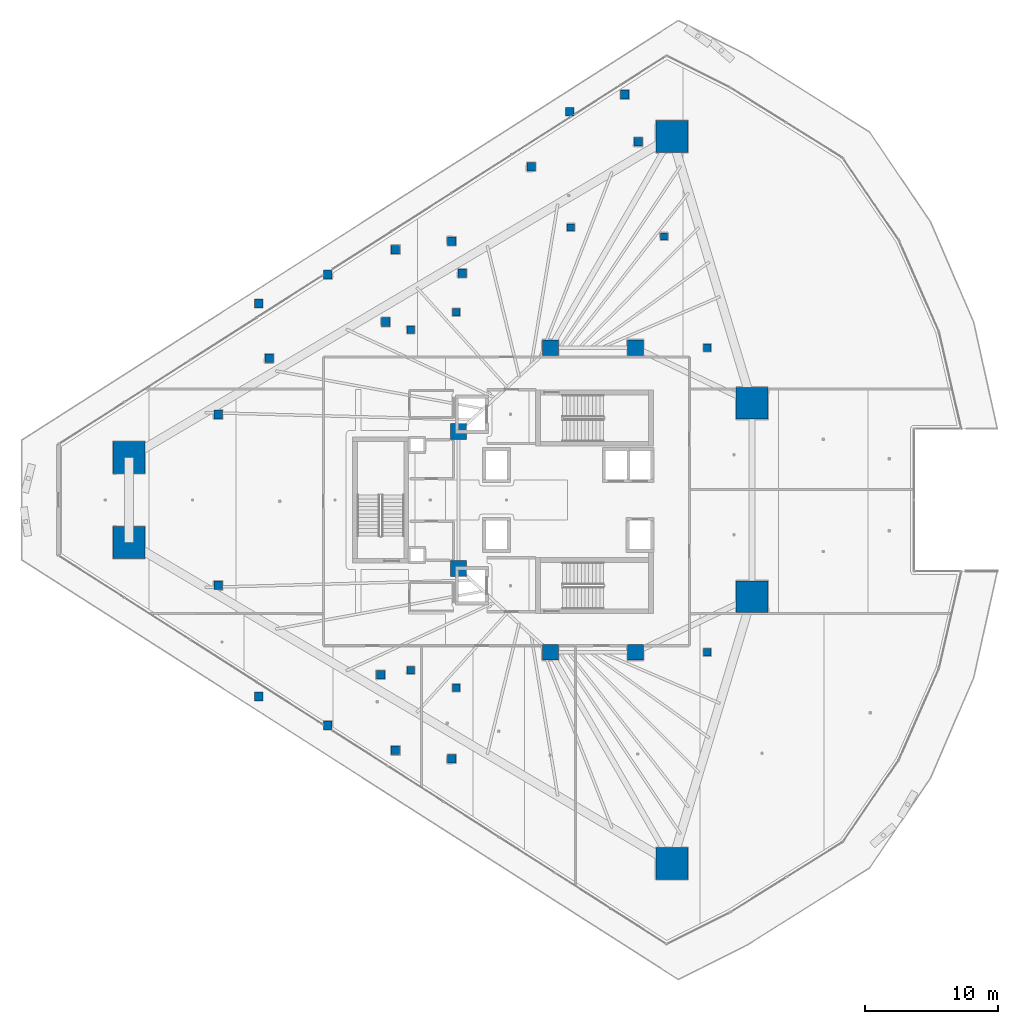
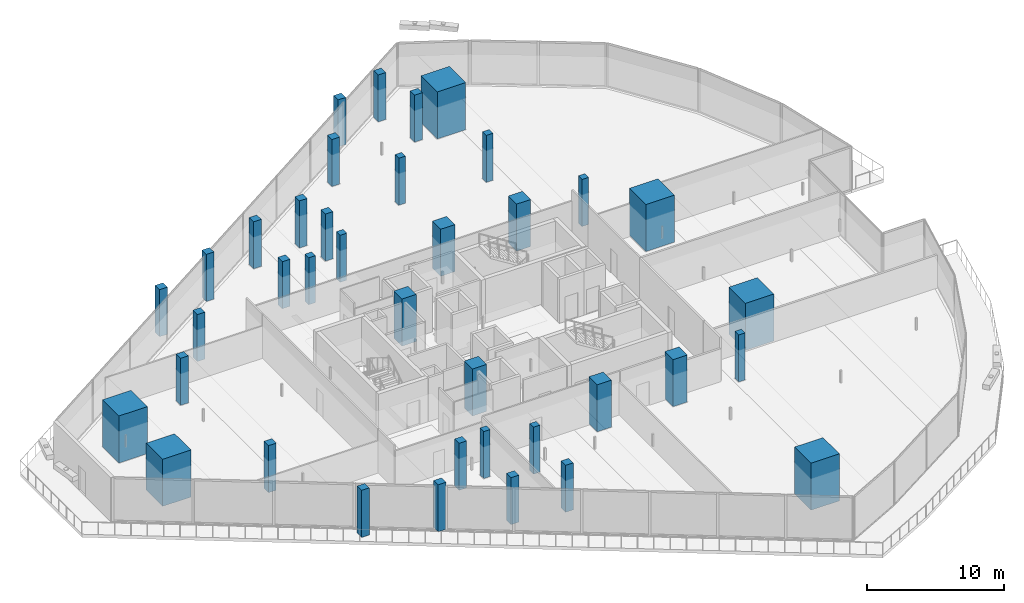
# One storey, part 1 of 44: 38 columns.
"""IFC4 building model written with IfcOpenShell, lengths in metres."""

from ifc_helpers import new_model, si_unit, direction, frame, origin, origin_2d, place, context, subcontext, project, spatial, rectangle, extrude, material, material_profile, profile_set, type_object, element, save


model = new_model("IFC4")

# Units and contexts
model_context = context("Model", 3, precision=1e-05, world=origin(), true_north=direction((0.0, 1.0)))
body_context = subcontext(model_context, "Body", "Model", "MODEL_VIEW")
ifc_project = project(units=[si_unit("LENGTHUNIT", "METRE"), si_unit("AREAUNIT", "SQUARE_METRE"), si_unit("VOLUMEUNIT", "CUBIC_METRE"), si_unit("PLANEANGLEUNIT", "RADIAN"), si_unit("MASSUNIT", "GRAM", prefix="KILO")], contexts=[model_context])

# Site, building, storey
site_placement = place(None, origin())
site = spatial("IfcSite", under=ifc_project, at=site_placement, CompositionType="ELEMENT")
building_placement = place(site_placement, origin())
building = spatial("IfcBuilding", under=site, at=building_placement, Name="Qorvath Tower", CompositionType="ELEMENT")
storey_placement = place(building_placement, frame((0.0, 0.0, 40.800048828125)))
storey = spatial("IfcBuildingStorey", under=building, at=storey_placement, Name="L08", CompositionType="ELEMENT", Elevation=40.800048828125)

# Columns
ifc_material_1 = material(Name="Concrete C70/85", Category="concrete")
ifc_material_profile_1 = material_profile(ifc_material_1, rectangle(XDim=2.39990234375, YDim=2.39990234375, at=origin_2d()), Name="MC 2400x2400")
ifc_profile_set_1 = profile_set([ifc_material_profile_1], Name="Concrete C70/85")
column_type_1 = type_object("IfcColumnType", Name="COL-MC1", PredefinedType="COLUMN", material=ifc_profile_set_1)
for number, where, z_axis, x_axis, name in (
    (1, (-55.282958984375, 3.194580078125, 0.0), (0.0, 0.0, 1.0), (1.0, 0.0, 0.0), "Composite Mega-Column MC1 L08"),
    (2, (-55.282958984375, -3.194580078125, 0.0), (0.0, 0.0, 1.0), (1.0, 0.0, 0.0), "Composite Mega-Column MC2 L08"),
    (3, (-14.46435546875, -27.330810546875, 0.0), (0.0, 0.0, 1.0), (1.0, 0.0, 0.0), "Composite Mega-Column MC3 L08"),
    (4, (-8.430419921875, -7.2763671875, 0.0), (0.0, 0.0, 1.0), (1.0, 0.0, 0.0), "Composite Mega-Column MC4 L08"),
    (5, (-8.430419921875, 7.2763671875, 0.0), (0.0, 0.0, 1.0), (1.0, 0.0, 0.0), "Composite Mega-Column MC5 L08"),
    (6, (-14.46435546875, 27.330810546875, 0.0), (0.0, 0.0, 1.0), (1.0, 0.0, 0.0), "Composite Mega-Column MC6 L08"),
):
    element("IfcColumn", number, at=place(storey_placement, frame(where, z_axis=z_axis, x_axis=x_axis)), inside=storey, type_object=column_type_1, Name=name, PredefinedType="COLUMN", context=body_context, shape_type="SweptSolid", body=[
        extrude(rectangle(XDim=2.39990234375, YDim=2.39990234375, at=origin_2d()), origin(), (0.0, 0.0, 1.0), 4.199951171875),
    ])
ifc_material_2 = material(Name="Concrete C60/75", Category="concrete")
ifc_material_profile_2 = material_profile(ifc_material_2, rectangle(XDim=1.199951171875, YDim=1.199951171875, at=origin_2d()), Name="RC 1200x1200")
ifc_profile_set_2 = profile_set([ifc_material_profile_2], Name="Concrete C60/75")
column_type_2 = type_object("IfcColumnType", Name="COL-RC1", PredefinedType="COLUMN", material=ifc_profile_set_2)
for number, where, z_axis, x_axis, name in (
    (7, (-23.60009765625, 11.449951171875, 0.0), (0.0, 0.0, 1.0), (1.0, 0.0, 0.0), "Core Spine Column CC1 L08"),
    (8, (-17.199951171875, 11.449951171875, 0.0), (0.0, 0.0, 1.0), (1.0, 0.0, 0.0), "Core Spine Column CC2 L08"),
    (9, (-17.199951171875, -11.449951171875, 0.0), (0.0, 0.0, 1.0), (1.0, 0.0, 0.0), "Core Spine Column CC3 L08"),
    (10, (-23.60009765625, -11.449951171875, 0.0), (0.0, 0.0, 1.0), (1.0, 0.0, 0.0), "Core Spine Column CC4 L08"),
    (11, (-30.5, 5.14990234375, 0.0), (0.0, 0.0, 1.0), (1.0, 0.0, 0.0), "Core Spine Column CC5 L08"),
    (12, (-30.5, -5.14990234375, 0.0), (0.0, 0.0, 1.0), (1.0, 0.0, 0.0), "Core Spine Column CC6 L08"),
):
    element("IfcColumn", number, at=place(storey_placement, frame(where, z_axis=z_axis, x_axis=x_axis)), inside=storey, type_object=column_type_2, Name=name, PredefinedType="COLUMN", context=body_context, shape_type="SweptSolid", body=[
        extrude(rectangle(XDim=1.199951171875, YDim=1.199951171875, at=origin_2d()), origin(), (0.0, 0.0, 1.0), 4.199951171875),
    ])
ifc_material_3 = material(Name="Concrete C45/55", Category="concrete")
ifc_material_profile_3 = material_profile(ifc_material_3, rectangle(XDim=0.64990234375, YDim=0.64990234375, at=origin_2d()), Name="RC 650x650")
ifc_profile_set_3 = profile_set([ifc_material_profile_3], Name="Concrete C45/55")
column_type_3 = type_object("IfcColumnType", Name="COL-RC6", PredefinedType="COLUMN", material=ifc_profile_set_3)
for number, where, z_axis, x_axis, name in (
    (13, (-45.536376953125, 14.774658203125, 0.0), (0.0, 0.0, 1.0), (1.0, 0.0, 0.0), "Loggia Frame Pier Column LGA1 L08"),
    (14, (-45.536376953125, -14.774658203125, 0.0), (0.0, 0.0, 1.0), (1.0, 0.0, 0.0), "Loggia Frame Pier Column LGA2 L08"),
    (15, (-22.13134765625, 29.20556640625, 0.0), (0.0, 0.0, 1.0), (1.0, 0.0, 0.0), "Loggia Frame Pier Column LGA3 L08"),
    (16, (-40.33251953125, 16.955810546875, 0.0), (0.0, 0.0, 1.0), (1.0, 0.0, 0.0), "Loggia Frame Pier Column LGB1 L08"),
    (17, (-40.33251953125, -16.955810546875, 0.0), (0.0, 0.0, 1.0), (1.0, 0.0, 0.0), "Loggia Frame Pier Column LGB2 L08"),
    (18, (-18.0, 30.5, 0.0), (0.0, 0.0, 1.0), (1.0, 0.0, 0.0), "Loggia Frame Pier Column LGB3 L08"),
    (19, (-35.251708984375, 18.829345703125, 0.0), (0.0, 0.0, 1.0), (1.0, 0.0, 0.0), "Loggia Frame Pier Column LGC1 L08"),
    (20, (-35.251708984375, -18.829345703125, 0.0), (0.0, 0.0, 1.0), (1.0, 0.0, 0.0), "Loggia Frame Pier Column LGC2 L08"),
    (21, (-25.03759765625, 25.058837890625, 0.0), (0.0, 0.0, 1.0), (1.0, 0.0, 0.0), "Loggia Frame Pier Column LGC3 L08"),
    (22, (-31.01611328125, 19.46044921875, 0.0), (0.0, 0.0, 1.0), (1.0, 0.0, 0.0), "Loggia Frame Pier Column LGD1 L08"),
    (23, (-31.01611328125, -19.46044921875, 0.0), (0.0, 0.0, 1.0), (1.0, 0.0, 0.0), "Loggia Frame Pier Column LGD2 L08"),
    (24, (-44.736328125, 10.65234375, 0.0), (0.0, 0.0, 1.0), (1.0, 0.0, 0.0), "Loggia Frame Pier Column LGD3 L08"),
    (25, (-48.578369140625, 6.424560546875, 0.0), (0.0, 0.0, 1.0), (1.0, 0.0, 0.0), "Loggia Frame Pier Column LGE1 L08"),
    (26, (-48.578369140625, -6.424560546875, 0.0), (0.0, 0.0, 1.0), (1.0, 0.0, 0.0), "Loggia Frame Pier Column LGE2 L08"),
    (27, (-16.981201171875, 26.92919921875, 0.0), (0.0, 0.0, 1.0), (1.0, 0.0, 0.0), "Loggia Frame Pier Column LGE3 L08"),
    (28, (-35.980712890625, 13.380859375, 0.0), (0.0, 0.0, 1.0), (1.0, 0.0, 0.0), "Loggia Frame Pier Column LGF1 L08"),
    (29, (-36.36474609375, -13.135498046875, 0.0), (0.0, 0.0, 1.0), (1.0, 0.0, 0.0), "Loggia Frame Pier Column LGF2 L08"),
    (30, (-30.224853515625, 17.0595703125, 0.0), (0.0, 0.0, 1.0), (1.0, 0.0, 0.0), "Loggia Frame Pier Column LGF3 L08"),
):
    element("IfcColumn", number, at=place(storey_placement, frame(where, z_axis=z_axis, x_axis=x_axis)), inside=storey, type_object=column_type_3, Name=name, PredefinedType="COLUMN", context=body_context, shape_type="SweptSolid", body=[
        extrude(rectangle(XDim=0.64990234375, YDim=0.64990234375, at=origin_2d()), origin(), (0.0, 0.0, 1.0), 4.199951171875),
    ])
ifc_material_4 = material(Name="Concrete C45/55", Category="concrete")
ifc_material_profile_4 = material_profile(ifc_material_4, rectangle(XDim=0.550048828125, YDim=0.550048828125, at=origin_2d()), Name="RC 550x550")
ifc_profile_set_4 = profile_set([ifc_material_profile_4], Name="Concrete C45/55")
column_type_4 = type_object("IfcColumnType", Name="COL-RC7", PredefinedType="COLUMN", material=ifc_profile_set_4)
for number, where, z_axis, x_axis, name in (
    (31, (-34.104248046875, 12.79248046875, 0.0), (0.0, 0.0, 1.0), (1.0, 0.0, 0.0), "Loggia Frame Pier Column LGG1 L08"),
    (32, (-34.104248046875, -12.79248046875, 0.0), (0.0, 0.0, 1.0), (1.0, 0.0, 0.0), "Loggia Frame Pier Column LGG2 L08"),
    (33, (-22.05322265625, 20.494873046875, 0.0), (0.0, 0.0, 1.0), (1.0, 0.0, 0.0), "Loggia Frame Pier Column LGG3 L08"),
    (34, (-30.67724609375, 14.124267578125, 0.0), (0.0, 0.0, 1.0), (1.0, 0.0, 0.0), "Loggia Frame Pier Column LGH1 L08"),
    (35, (-30.67724609375, -14.124267578125, 0.0), (0.0, 0.0, 1.0), (1.0, 0.0, 0.0), "Loggia Frame Pier Column LGH2 L08"),
    (36, (-15.046142578125, 19.818115234375, 0.0), (0.0, 0.0, 1.0), (1.0, 0.0, 0.0), "Loggia Frame Pier Column LGH3 L08"),
    (37, (-11.800048828125, -11.449951171875, 0.0), (0.0, 0.0, 1.0), (1.0, 0.0, 0.0), "Central Slot Jamb Column SC1 L08"),
    (38, (-11.800048828125, 11.449951171875, 0.0), (0.0, 0.0, 1.0), (1.0, 0.0, 0.0), "Central Slot Jamb Column SC2 L08"),
):
    element("IfcColumn", number, at=place(storey_placement, frame(where, z_axis=z_axis, x_axis=x_axis)), inside=storey, type_object=column_type_4, Name=name, PredefinedType="COLUMN", context=body_context, shape_type="SweptSolid", body=[
        extrude(rectangle(XDim=0.550048828125, YDim=0.550048828125, at=origin_2d()), origin(), (0.0, 0.0, 1.0), 4.199951171875),
    ])

save(model, "model.ifc")
